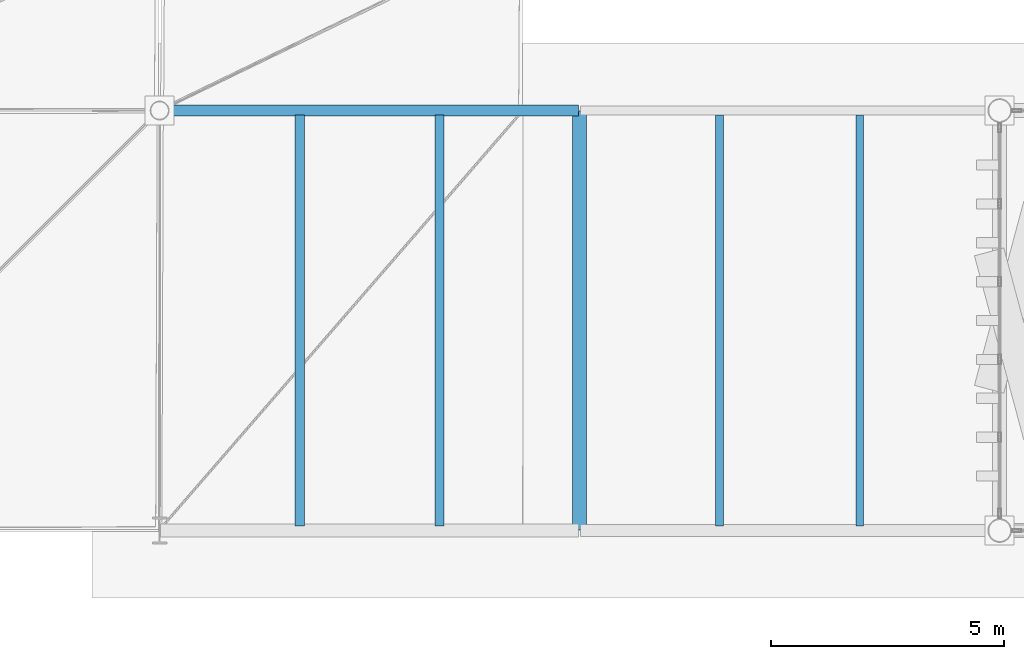
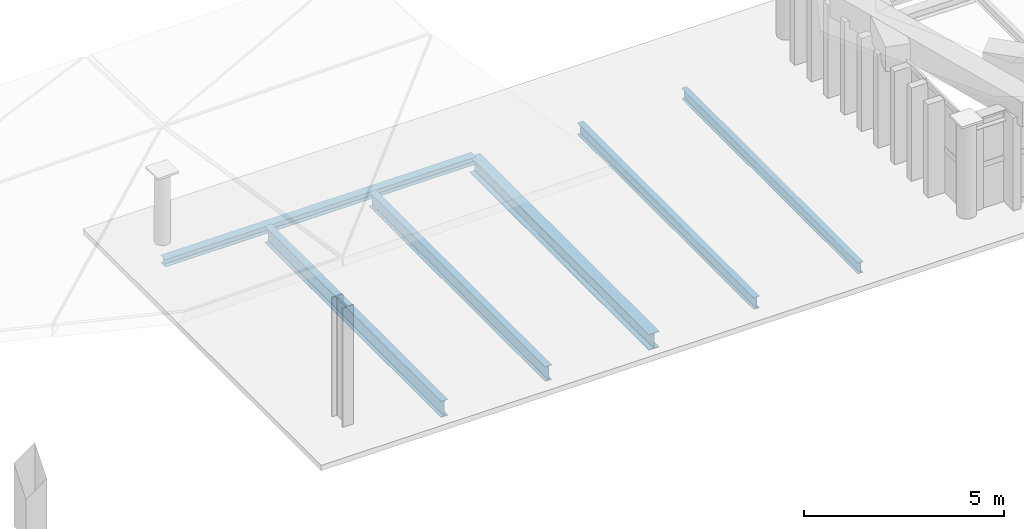
# One storey, part 15 of 102: 6 beams.
"""IFC4 building model written with IfcOpenShell, lengths in metres."""

from ifc_helpers import new_model, si_unit, direction, frame, origin, origin_2d, place, context, subcontext, project, spatial, i_section, extrude, material, material_profile, profile_set, type_object, element, save


model = new_model("IFC4")

# Units and contexts
model_context = context("Model", 3, precision=1e-05, world=origin(), true_north=direction((0.0, 1.0)))
body_context = subcontext(model_context, "Body", "Model", "MODEL_VIEW")
ifc_project = project(units=[si_unit("LENGTHUNIT", "METRE"), si_unit("AREAUNIT", "SQUARE_METRE"), si_unit("VOLUMEUNIT", "CUBIC_METRE"), si_unit("PLANEANGLEUNIT", "RADIAN"), si_unit("MASSUNIT", "GRAM", prefix="KILO")], contexts=[model_context])

# Site, building, storey
site_placement = place(None, origin())
site = spatial("IfcSite", under=ifc_project, at=site_placement, CompositionType="ELEMENT")
building_placement = place(site_placement, origin())
building = spatial("IfcBuilding", under=site, at=building_placement, Name="Barlavento Convention Centre", CompositionType="ELEMENT")
storey_placement = place(building_placement, frame((0.0, 0.0, 22.800048828125)))
storey = spatial("IfcBuildingStorey", under=building, at=storey_placement, Name="L04", CompositionType="ELEMENT", Elevation=22.800048828125)

# Beams
ifc_material = material(Name="Steel S355", Category="steel")
ifc_material_profile_1 = material_profile(ifc_material, i_section(OverallWidth=0.159912109375, OverallDepth=0.330078125, WebThickness=0.007568359375, FlangeThickness=0.011474609375, FilletRadius=0.01806640625, at=origin_2d()), Name="IPE 330")
ifc_profile_set_1 = profile_set([ifc_material_profile_1], Name="Steel S355")
beam_type_1 = type_object("IfcBeamType", Name="STR-BM-JST-IPE330", PredefinedType="JOIST", material=ifc_profile_set_1)
beam_1_placement = place(storey_placement, frame((78.0, 45.094970703125, -0.510009765625), z_axis=(0.0, 1.0, 0.0), x_axis=(-1.0, 0.0, 0.0)))
element("IfcBeam", 1, at=beam_1_placement, inside=storey, type_object=beam_type_1, Name="L04 composite floor joist SJ06", PredefinedType="JOIST", context=body_context, shape_type="SweptSolid", body=[
    extrude(i_section(OverallWidth=0.159912109375, OverallDepth=0.330078125, WebThickness=0.007568359375, FlangeThickness=0.011474609375, FilletRadius=0.01806640625, at=origin_2d()), origin(), (0.0, 0.0, 1.0), 8.81005859375),
])
ifc_material_profile_2 = material_profile(ifc_material, i_section(OverallWidth=0.169921875, OverallDepth=0.360107421875, WebThickness=0.008056640625, FlangeThickness=0.0126953125, FilletRadius=0.01806640625, at=origin_2d()), Name="IPE 360")
ifc_profile_set_2 = profile_set([ifc_material_profile_2], Name="Steel S355")
beam_type_2 = type_object("IfcBeamType", Name="STR-BM-JST-IPE360", PredefinedType="JOIST", material=ifc_profile_set_2)
beam_2_placement = place(storey_placement, frame((75.0, 45.094970703125, -0.525146484375), z_axis=(0.0, 1.0, 0.0), x_axis=(-1.0, 0.0, 0.0)))
element("IfcBeam", 2, at=beam_2_placement, inside=storey, type_object=beam_type_2, Name="L04 composite floor joist SJ05", PredefinedType="JOIST", context=body_context, shape_type="SweptSolid", body=[
    extrude(i_section(OverallWidth=0.169921875, OverallDepth=0.360107421875, WebThickness=0.008056640625, FlangeThickness=0.0126953125, FilletRadius=0.01806640625, at=origin_2d()), origin(), (0.0, 0.0, 1.0), 8.81005859375),
])
ifc_material_profile_3 = material_profile(ifc_material, i_section(OverallWidth=0.18994140625, OverallDepth=0.449951171875, WebThickness=0.009521484375, FlangeThickness=0.0146484375, FilletRadius=0.02099609375, at=origin_2d()), Name="IPE 450")
ifc_profile_set_3 = profile_set([ifc_material_profile_3], Name="Steel S355")
beam_type_3 = type_object("IfcBeamType", Name="STR-BM-JST-IPE450", PredefinedType="JOIST", material=ifc_profile_set_3)
beam_3_placement = place(storey_placement, frame((69.0, 45.094970703125, -0.570068359375), z_axis=(0.0, 1.0, 0.0), x_axis=(-1.0, 0.0, 0.0)))
element("IfcBeam", 3, at=beam_3_placement, inside=storey, type_object=beam_type_3, Name="L04 composite floor joist SJ03", PredefinedType="JOIST", context=body_context, shape_type="SweptSolid", body=[
    extrude(i_section(OverallWidth=0.18994140625, OverallDepth=0.449951171875, WebThickness=0.009521484375, FlangeThickness=0.0146484375, FilletRadius=0.02099609375, at=origin_2d()), origin(), (0.0, 0.0, 1.0), 8.81005859375),
])
ifc_material_profile_4 = material_profile(ifc_material, i_section(OverallWidth=0.199951171875, OverallDepth=0.5, WebThickness=0.01025390625, FlangeThickness=0.01611328125, FilletRadius=0.02099609375, at=origin_2d()), Name="IPE 500")
ifc_profile_set_4 = profile_set([ifc_material_profile_4], Name="Steel S355")
beam_type_4 = type_object("IfcBeamType", Name="STR-BM-JST-IPE500", PredefinedType="JOIST", material=ifc_profile_set_4)
beam_4_placement = place(storey_placement, frame((66.0, 45.094970703125, -0.594970703125), z_axis=(0.0, 1.0, 0.0), x_axis=(-1.0, 0.0, 0.0)))
element("IfcBeam", 4, at=beam_4_placement, inside=storey, type_object=beam_type_4, Name="L04 composite floor joist SJ02", PredefinedType="JOIST", context=body_context, shape_type="SweptSolid", body=[
    extrude(i_section(OverallWidth=0.199951171875, OverallDepth=0.5, WebThickness=0.01025390625, FlangeThickness=0.01611328125, FilletRadius=0.02099609375, at=origin_2d()), origin(), (0.0, 0.0, 1.0), 8.81005859375),
])
ifc_material_profile_5 = material_profile(ifc_material, i_section(OverallWidth=0.300048828125, OverallDepth=0.489990234375, WebThickness=0.011962890625, FlangeThickness=0.02294921875, FilletRadius=0.027099609375, at=origin_2d()), Name="HEA 500")
ifc_profile_set_5 = profile_set([ifc_material_profile_5], Name="Steel S355")
beam_type_5 = type_object("IfcBeamType", Name="STR-BM-PRI-HEA500", PredefinedType="BEAM", material=ifc_profile_set_5)
beam_5_placement = place(storey_placement, frame((72.0, 45.02001953125, -0.590087890625), z_axis=(0.0, 1.0, 0.0), x_axis=(-1.0, 0.0, 0.0)))
element("IfcBeam", 5, at=beam_5_placement, inside=storey, type_object=beam_type_5, Name="L04 grid girder BG20", PredefinedType="BEAM", context=body_context, shape_type="SweptSolid", body=[
    extrude(i_section(OverallWidth=0.300048828125, OverallDepth=0.489990234375, WebThickness=0.011962890625, FlangeThickness=0.02294921875, FilletRadius=0.027099609375, at=origin_2d()), origin(), (0.0, 0.0, 1.0), 8.9599609375),
])
ifc_material_profile_6 = material_profile(ifc_material, i_section(OverallWidth=0.239990234375, OverallDepth=0.22998046875, WebThickness=0.007568359375, FlangeThickness=0.011962890625, FilletRadius=0.02099609375, at=origin_2d()), Name="HEA 240")
ifc_profile_set_6 = profile_set([ifc_material_profile_6], Name="Steel S355")
beam_type_6 = type_object("IfcBeamType", Name="STR-BM-SPN-HEA240", PredefinedType="SPANDREL", material=ifc_profile_set_6)
beam_6_placement = place(storey_placement, frame((63.02001953125, 54.0, -0.4599609375), z_axis=(1.0, 0.0, 0.0), x_axis=(0.0, 1.0, 0.0)))
element("IfcBeam", 6, at=beam_6_placement, inside=storey, type_object=beam_type_6, Name="L04 primary girder SP05", PredefinedType="SPANDREL", context=body_context, shape_type="SweptSolid", body=[
    extrude(i_section(OverallWidth=0.239990234375, OverallDepth=0.22998046875, WebThickness=0.007568359375, FlangeThickness=0.011962890625, FilletRadius=0.02099609375, at=origin_2d()), origin(), (0.0, 0.0, 1.0), 8.9599609375),
])

save(model, "model.ifc")
